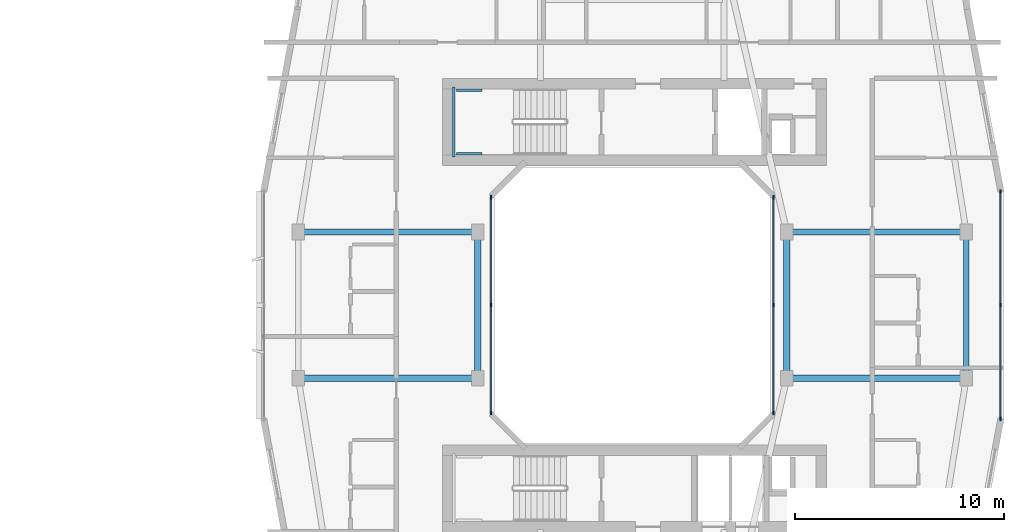
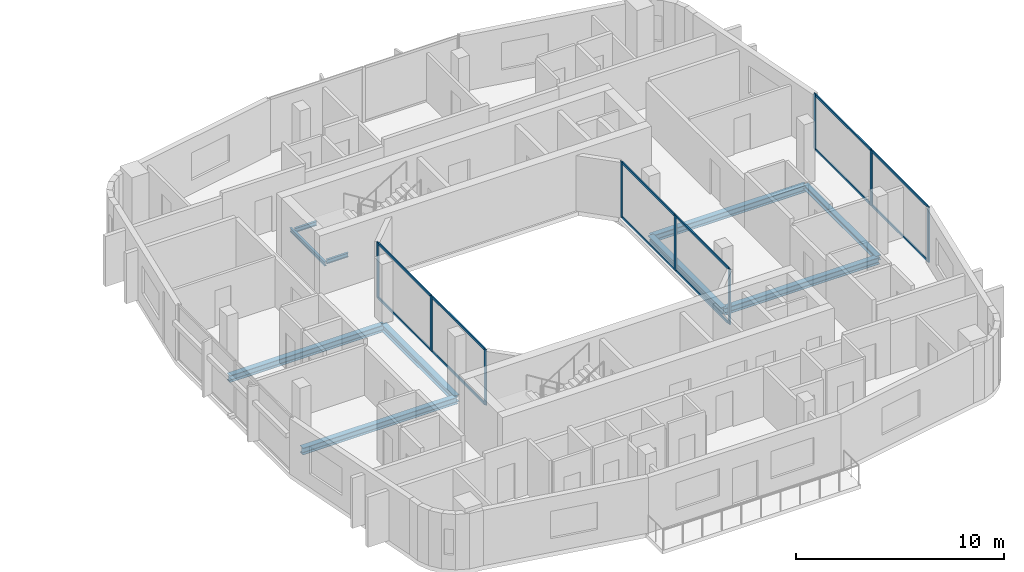
# One storey, part 6 of 24: 21 members, 10 beams, 3 elements without a shape of their own.
"""IFC4 building model written with IfcOpenShell, lengths in metres."""

from ifc_helpers import new_model, si_unit, derived_unit, direction, frame, origin, origin_2d, place, context, subcontext, project, spatial, rectangle, i_section, extrude, material, layer, layer_set, material_profile, profile_set, type_object, element, aggregate, save


model = new_model("IFC4")

# Units and contexts
model_context = context("Model", 3, precision=1e-05, world=origin(), true_north=direction((0.0, 1.0)))
body_context = subcontext(model_context, "Body", "Model", "MODEL_VIEW")
ifc_project = project(units=[si_unit("LENGTHUNIT", "METRE"), si_unit("AREAUNIT", "SQUARE_METRE"), si_unit("VOLUMEUNIT", "CUBIC_METRE"), si_unit("PLANEANGLEUNIT", "RADIAN"), si_unit("MASSUNIT", "GRAM", prefix="KILO"), derived_unit("THERMALTRANSMITTANCEUNIT", [(si_unit("POWERUNIT", "WATT"), 1), (si_unit("LENGTHUNIT", "METRE"), -2), (si_unit("THERMODYNAMICTEMPERATUREUNIT", "KELVIN"), -1)])], contexts=[model_context])

# Site, building, storey
site_placement = place(None, origin())
site = spatial("IfcSite", under=ifc_project, at=site_placement, CompositionType="ELEMENT")
building_placement = place(site_placement, origin())
building = spatial("IfcBuilding", under=site, at=building_placement, Name="Kivonza Crest Hotel", CompositionType="ELEMENT")
storey_placement = place(building_placement, frame((0.0, 0.0, 80.0)))
storey = spatial("IfcBuildingStorey", under=building, at=storey_placement, Name="L21", CompositionType="ELEMENT", Elevation=80.0)

# Beams
ifc_material_1 = material(Name="Steel S355", Category="steel")
ifc_material_profile_1 = material_profile(ifc_material_1, i_section(OverallWidth=0.280029296875, OverallDepth=0.280029296875, WebThickness=0.010498046875, FlangeThickness=0.01806640625, FilletRadius=0.02392578125, at=origin_2d()), Name="HEB 280")
ifc_profile_set_1 = profile_set([ifc_material_profile_1], Name="Steel S355")
beam_type_1 = type_object("IfcBeamType", Name="BM-HEB280", PredefinedType="SPANDREL", material=ifc_profile_set_1)
beam_1_placement = place(storey_placement, frame((93.0, 21.5, -0.389892578125), z_axis=(0.0, 1.0, 0.0), x_axis=(-1.0, 0.0, 0.0)))
element("IfcBeam", 1, at=beam_1_placement, inside=storey, type_object=beam_type_1, Name="Companion Tower T2 L21 perimeter spandrel E1-E2", PredefinedType="SPANDREL", context=body_context, shape_type="SweptSolid", body=[
    extrude(i_section(OverallWidth=0.280029296875, OverallDepth=0.280029296875, WebThickness=0.010498046875, FlangeThickness=0.01806640625, FilletRadius=0.02392578125, at=origin_2d()), origin(), (0.0, 0.0, 1.0), 7.0),
])
ifc_material_profile_2 = material_profile(ifc_material_1, i_section(OverallWidth=0.300048828125, OverallDepth=0.39990234375, WebThickness=0.013427734375, FlangeThickness=0.02392578125, FilletRadius=0.027099609375, at=origin_2d()), Name="HEB 400")
ifc_profile_set_2 = profile_set([ifc_material_profile_2], Name="Steel S355")
beam_type_2 = type_object("IfcBeamType", Name="BM-HEB400", PredefinedType="BEAM", material=ifc_profile_set_2)
for number, where, z_axis, x_axis, name in (
    (2, (61.0, 21.5, -0.449951171875), (1.0, 0.0, 0.0), (0.0, 1.0, 0.0), "Companion Tower T2 L21 girder W1-WL1"),
    (3, (61.0, 28.5, -0.449951171875), (1.0, 0.0, 0.0), (0.0, 1.0, 0.0), "Companion Tower T2 L21 girder W2-WL2"),
):
    element("IfcBeam", number, at=place(storey_placement, frame(where, z_axis=z_axis, x_axis=x_axis)), inside=storey, type_object=beam_type_2, Name=name, PredefinedType="BEAM", context=body_context, shape_type="SweptSolid", body=[
        extrude(i_section(OverallWidth=0.300048828125, OverallDepth=0.39990234375, WebThickness=0.013427734375, FlangeThickness=0.02392578125, FilletRadius=0.027099609375, at=origin_2d()), origin(), (0.0, 0.0, 1.0), 8.60009765625),
    ])
beam_2_placement = place(storey_placement, frame((69.60009765625, 21.5, -0.449951171875), z_axis=(0.0, 1.0, 0.0), x_axis=(-1.0, 0.0, 0.0)))
element("IfcBeam", 4, at=beam_2_placement, inside=storey, type_object=beam_type_2, Name="Companion Tower T2 L21 girder WL1-WL2", PredefinedType="BEAM", context=body_context, shape_type="SweptSolid", body=[
    extrude(i_section(OverallWidth=0.300048828125, OverallDepth=0.39990234375, WebThickness=0.013427734375, FlangeThickness=0.02392578125, FilletRadius=0.027099609375, at=origin_2d()), origin(), (0.0, 0.0, 1.0), 7.0),
])
for number, where, z_axis, x_axis, name in (
    (5, (84.39990234375, 21.5, -0.449951171875), (1.0, 0.0, 0.0), (0.0, 1.0, 0.0), "Companion Tower T2 L21 girder WR1-E1"),
    (6, (84.39990234375, 28.5, -0.449951171875), (1.0, 0.0, 0.0), (0.0, 1.0, 0.0), "Companion Tower T2 L21 girder WR2-E2"),
):
    element("IfcBeam", number, at=place(storey_placement, frame(where, z_axis=z_axis, x_axis=x_axis)), inside=storey, type_object=beam_type_2, Name=name, PredefinedType="BEAM", context=body_context, shape_type="SweptSolid", body=[
        extrude(i_section(OverallWidth=0.300048828125, OverallDepth=0.39990234375, WebThickness=0.013427734375, FlangeThickness=0.02392578125, FilletRadius=0.027099609375, at=origin_2d()), origin(), (0.0, 0.0, 1.0), 8.60009765625),
    ])
beam_3_placement = place(storey_placement, frame((84.39990234375, 21.5, -0.449951171875), z_axis=(0.0, 1.0, 0.0), x_axis=(-1.0, 0.0, 0.0)))
element("IfcBeam", 7, at=beam_3_placement, inside=storey, type_object=beam_type_2, Name="Companion Tower T2 L21 girder WR1-WR2", PredefinedType="BEAM", context=body_context, shape_type="SweptSolid", body=[
    extrude(i_section(OverallWidth=0.300048828125, OverallDepth=0.39990234375, WebThickness=0.013427734375, FlangeThickness=0.02392578125, FilletRadius=0.027099609375, at=origin_2d()), origin(), (0.0, 0.0, 1.0), 7.0),
])
ifc_material_profile_3 = material_profile(ifc_material_1, i_section(OverallWidth=0.1201171875, OverallDepth=0.239990234375, WebThickness=0.006103515625, FlangeThickness=0.009765625, FilletRadius=0.014892578125, at=origin_2d()), Name="IPE 240")
ifc_profile_set_3 = profile_set([ifc_material_profile_3], Name="Steel S355")
beam_type_3 = type_object("IfcBeamType", Name="BM-LLDG-240", PredefinedType="BEAM", material=ifc_profile_set_3)
beam_4_placement = place(storey_placement, frame((68.4599609375, 32.10009765625, 1.429931640625), z_axis=(0.0, 1.0, 0.0), x_axis=(-1.0, 0.0, 0.0)))
element("IfcBeam", 8, at=beam_4_placement, inside=storey, type_object=beam_type_3, Name="Stair ST-T2-N L21 West landing corbel", PredefinedType="BEAM", context=body_context, shape_type="SweptSolid", body=[
    extrude(i_section(OverallWidth=0.1201171875, OverallDepth=0.239990234375, WebThickness=0.006103515625, FlangeThickness=0.009765625, FilletRadius=0.014892578125, at=origin_2d()), origin(), (0.0, 0.0, 1.0), 3.35986328125),
])
for number, where, z_axis, x_axis, name in (
    (9, (68.590087890625, 32.260009765625, 1.429931640625), (1.0, 0.0, 0.0), (0.0, 1.0, 0.0), "Stair ST-T2-N L21 South landing corbel"),
    (10, (68.590087890625, 35.300048828125, 1.429931640625), (1.0, 0.0, 0.0), (0.0, 1.0, 0.0), "Stair ST-T2-N L21 North landing corbel"),
):
    element("IfcBeam", number, at=place(storey_placement, frame(where, z_axis=z_axis, x_axis=x_axis)), inside=storey, type_object=beam_type_3, Name=name, PredefinedType="BEAM", context=body_context, shape_type="SweptSolid", body=[
        extrude(i_section(OverallWidth=0.1201171875, OverallDepth=0.239990234375, WebThickness=0.006103515625, FlangeThickness=0.009765625, FilletRadius=0.014892578125, at=origin_2d()), origin(), (0.0, 0.0, 1.0), 1.2099609375),
    ])

# Curtain wall, members
ifc_material_2 = material(Name="Anodised bronze aluminium and low-E double glazing", Category="aluminium")
ifc_layer_1 = layer(ifc_material_2, 0.179931640625)
ifc_layer_set_1 = layer_set([ifc_layer_1], Name="Anodised bronze aluminium and low-E double glazing")
curtain_wall_type_1 = type_object("IfcCurtainWallType", Name="CW-SYS-4", PredefinedType="NOTDEFINED", material=ifc_layer_set_1)
curtain_wall_1_placement = place(storey_placement, origin())
curtain_wall_1 = element("IfcCurtainWall", 11, at=curtain_wall_1_placement, inside=storey, type_object=curtain_wall_type_1, Name="L21 unitised curtain wall CW-T2-L21-17", PredefinedType="NOTDEFINED")
ifc_material_3 = material(Name="Anodised bronze aluminium", Category="aluminium")
ifc_material_profile_4 = material_profile(ifc_material_3, rectangle(XDim=0.06494140625, YDim=0.179931640625, at=origin_2d()), Name="CW-M 65x180")
ifc_profile_set_4 = profile_set([ifc_material_profile_4], Name="Anodised bronze aluminium")
member_type_1 = type_object("IfcMemberType", Name="CW-MUL-65x180", PredefinedType="MULLION", material=ifc_profile_set_4)
member_1_placement = place(storey_placement, frame((94.639892578125, 19.552490234375, 0.0), z_axis=(0.0, 0.0, 1.0), x_axis=(-1.0, 0.0, 0.0)))
member_1 = element("IfcMember", 12, at=member_1_placement, type_object=member_type_1, Name="CW-4 mullion 1", PredefinedType="MULLION", context=body_context, shape_type="SweptSolid", body=[
    extrude(rectangle(XDim=0.06494140625, YDim=0.179931640625, at=origin_2d()), origin(), (0.0, 0.0, 1.0), 3.25),
])
member_2_placement = place(storey_placement, frame((94.639892578125, 25.0, 0.0), z_axis=(0.0, 0.0, 1.0), x_axis=(-1.0, 0.0, 0.0)))
member_2 = element("IfcMember", 13, at=member_2_placement, type_object=member_type_1, Name="CW-4 mullion 2", PredefinedType="MULLION", context=body_context, shape_type="SweptSolid", body=[
    extrude(rectangle(XDim=0.06494140625, YDim=0.179931640625, at=origin_2d()), origin(), (0.0, 0.0, 1.0), 3.25),
])
member_3_placement = place(storey_placement, frame((94.639892578125, 30.447509765625, 0.0), z_axis=(0.0, 0.0, 1.0), x_axis=(-1.0, 0.0, 0.0)))
member_3 = element("IfcMember", 14, at=member_3_placement, type_object=member_type_1, Name="CW-4 mullion 3", PredefinedType="MULLION", context=body_context, shape_type="SweptSolid", body=[
    extrude(rectangle(XDim=0.06494140625, YDim=0.179931640625, at=origin_2d()), origin(), (0.0, 0.0, 1.0), 3.25),
])

ifc_layer_2 = layer(ifc_material_2, 0.159912109375)
ifc_layer_set_2 = layer_set([ifc_layer_2], Name="Anodised bronze aluminium and low-E double glazing")
curtain_wall_type_2 = type_object("IfcCurtainWallType", Name="CW-SYS-5", PredefinedType="NOTDEFINED", material=ifc_layer_set_2)
curtain_wall_2_placement = place(storey_placement, origin())
curtain_wall_2 = element("IfcCurtainWall", 15, at=curtain_wall_2_placement, inside=storey, type_object=curtain_wall_type_2, Name="L21 unitised curtain wall CW-WELL-T2-L21-3", PredefinedType="NOTDEFINED")
member_4_placement = place(storey_placement, frame((83.760009765625, 19.83251953125, 0.0), z_axis=(0.0, 0.0, 1.0), x_axis=(-1.0, 0.0, 0.0)))
member_4 = element("IfcMember", 16, at=member_4_placement, type_object=member_type_1, Name="CW-5 mullion 1", PredefinedType="MULLION", context=body_context, shape_type="SweptSolid", body=[
    extrude(rectangle(XDim=0.06494140625, YDim=0.179931640625, at=origin_2d()), origin(), (0.0, 0.0, 1.0), 3.25),
])
member_5_placement = place(storey_placement, frame((83.760009765625, 25.0, 0.0), z_axis=(0.0, 0.0, 1.0), x_axis=(-1.0, 0.0, 0.0)))
member_5 = element("IfcMember", 17, at=member_5_placement, type_object=member_type_1, Name="CW-5 mullion 2", PredefinedType="MULLION", context=body_context, shape_type="SweptSolid", body=[
    extrude(rectangle(XDim=0.06494140625, YDim=0.179931640625, at=origin_2d()), origin(), (0.0, 0.0, 1.0), 3.25),
])
member_6_placement = place(storey_placement, frame((83.760009765625, 30.16748046875, 0.0), z_axis=(0.0, 0.0, 1.0), x_axis=(-1.0, 0.0, 0.0)))
member_6 = element("IfcMember", 18, at=member_6_placement, type_object=member_type_1, Name="CW-5 mullion 3", PredefinedType="MULLION", context=body_context, shape_type="SweptSolid", body=[
    extrude(rectangle(XDim=0.06494140625, YDim=0.179931640625, at=origin_2d()), origin(), (0.0, 0.0, 1.0), 3.25),
])

curtain_wall_3_placement = place(storey_placement, origin())
curtain_wall_3 = element("IfcCurtainWall", 19, at=curtain_wall_3_placement, inside=storey, type_object=curtain_wall_type_2, Name="L21 unitised curtain wall CW-WELL-T2-L21-7", PredefinedType="NOTDEFINED")
member_7_placement = place(storey_placement, frame((70.239990234375, 30.16748046875, 0.0), z_axis=(0.0, 0.0, 1.0), x_axis=(1.0, 0.0, 0.0)))
member_7 = element("IfcMember", 20, at=member_7_placement, type_object=member_type_1, Name="CW-5 mullion 1", PredefinedType="MULLION", context=body_context, shape_type="SweptSolid", body=[
    extrude(rectangle(XDim=0.06494140625, YDim=0.179931640625, at=origin_2d()), origin(), (0.0, 0.0, 1.0), 3.25),
])
member_8_placement = place(storey_placement, frame((70.239990234375, 25.0, 0.0), z_axis=(0.0, 0.0, 1.0), x_axis=(1.0, 0.0, 0.0)))
member_8 = element("IfcMember", 21, at=member_8_placement, type_object=member_type_1, Name="CW-5 mullion 2", PredefinedType="MULLION", context=body_context, shape_type="SweptSolid", body=[
    extrude(rectangle(XDim=0.06494140625, YDim=0.179931640625, at=origin_2d()), origin(), (0.0, 0.0, 1.0), 3.25),
])
member_9_placement = place(storey_placement, frame((70.239990234375, 19.83251953125, 0.0), z_axis=(0.0, 0.0, 1.0), x_axis=(1.0, 0.0, 0.0)))
member_9 = element("IfcMember", 22, at=member_9_placement, type_object=member_type_1, Name="CW-5 mullion 3", PredefinedType="MULLION", context=body_context, shape_type="SweptSolid", body=[
    extrude(rectangle(XDim=0.06494140625, YDim=0.179931640625, at=origin_2d()), origin(), (0.0, 0.0, 1.0), 3.25),
])

# Member
ifc_material_profile_5 = material_profile(ifc_material_3, rectangle(XDim=0.06494140625, YDim=0.139892578125, at=origin_2d()), Name="CW-T 65x140")
ifc_profile_set_5 = profile_set([ifc_material_profile_5], Name="Anodised bronze aluminium")
member_type_2 = type_object("IfcMemberType", Name="CW-TRN-65x140", PredefinedType="USERDEFINED", material=ifc_profile_set_5)
member_10_placement = place(storey_placement, frame((94.639892578125, 19.5849609375, 0.032470703125), z_axis=(0.0, 1.0, 0.0), x_axis=(-1.0, 0.0, 0.0)))
member_10 = element("IfcMember", 23, at=member_10_placement, type_object=member_type_2, Name="CW-4 transom 1.1", ObjectType="TRANSOM", PredefinedType="USERDEFINED", context=body_context, shape_type="SweptSolid", body=[
    extrude(rectangle(XDim=0.06494140625, YDim=0.139892578125, at=origin_2d()), origin(), (0.0, 0.0, 1.0), 5.382568359375),
])

member_11_placement = place(storey_placement, frame((94.639892578125, 19.5849609375, 3.217529296875), z_axis=(0.0, 1.0, 0.0), x_axis=(-1.0, 0.0, 0.0)))
member_11 = element("IfcMember", 24, at=member_11_placement, type_object=member_type_2, Name="CW-4 transom 1.2", ObjectType="TRANSOM", PredefinedType="USERDEFINED", context=body_context, shape_type="SweptSolid", body=[
    extrude(rectangle(XDim=0.06494140625, YDim=0.139892578125, at=origin_2d()), origin(), (0.0, 0.0, 1.0), 5.382568359375),
])

member_12_placement = place(storey_placement, frame((94.639892578125, 25.032470703125, 0.032470703125), z_axis=(0.0, 1.0, 0.0), x_axis=(-1.0, 0.0, 0.0)))
member_12 = element("IfcMember", 25, at=member_12_placement, type_object=member_type_2, Name="CW-4 transom 2.1", ObjectType="TRANSOM", PredefinedType="USERDEFINED", context=body_context, shape_type="SweptSolid", body=[
    extrude(rectangle(XDim=0.06494140625, YDim=0.139892578125, at=origin_2d()), origin(), (0.0, 0.0, 1.0), 5.382568359375),
])

member_13_placement = place(storey_placement, frame((94.639892578125, 25.032470703125, 3.217529296875), z_axis=(0.0, 1.0, 0.0), x_axis=(-1.0, 0.0, 0.0)))
member_13 = element("IfcMember", 26, at=member_13_placement, type_object=member_type_2, Name="CW-4 transom 2.2", ObjectType="TRANSOM", PredefinedType="USERDEFINED", context=body_context, shape_type="SweptSolid", body=[
    extrude(rectangle(XDim=0.06494140625, YDim=0.139892578125, at=origin_2d()), origin(), (0.0, 0.0, 1.0), 5.382568359375),
])

aggregate(curtain_wall_1, [member_1, member_2, member_3, member_10, member_11, member_12, member_13])

member_14_placement = place(storey_placement, frame((83.760009765625, 19.864990234375, 0.032470703125), z_axis=(0.0, 1.0, 0.0), x_axis=(-1.0, 0.0, 0.0)))
member_14 = element("IfcMember", 27, at=member_14_placement, type_object=member_type_2, Name="CW-5 transom 1.1", ObjectType="TRANSOM", PredefinedType="USERDEFINED", context=body_context, shape_type="SweptSolid", body=[
    extrude(rectangle(XDim=0.06494140625, YDim=0.139892578125, at=origin_2d()), origin(), (0.0, 0.0, 1.0), 5.1025390625),
])

member_15_placement = place(storey_placement, frame((83.760009765625, 19.864990234375, 3.217529296875), z_axis=(0.0, 1.0, 0.0), x_axis=(-1.0, 0.0, 0.0)))
member_15 = element("IfcMember", 28, at=member_15_placement, type_object=member_type_2, Name="CW-5 transom 1.2", ObjectType="TRANSOM", PredefinedType="USERDEFINED", context=body_context, shape_type="SweptSolid", body=[
    extrude(rectangle(XDim=0.06494140625, YDim=0.139892578125, at=origin_2d()), origin(), (0.0, 0.0, 1.0), 5.1025390625),
])

member_16_placement = place(storey_placement, frame((83.760009765625, 25.032470703125, 0.032470703125), z_axis=(0.0, 1.0, 0.0), x_axis=(-1.0, 0.0, 0.0)))
member_16 = element("IfcMember", 29, at=member_16_placement, type_object=member_type_2, Name="CW-5 transom 2.1", ObjectType="TRANSOM", PredefinedType="USERDEFINED", context=body_context, shape_type="SweptSolid", body=[
    extrude(rectangle(XDim=0.06494140625, YDim=0.139892578125, at=origin_2d()), origin(), (0.0, 0.0, 1.0), 5.1025390625),
])

member_17_placement = place(storey_placement, frame((83.760009765625, 25.032470703125, 3.217529296875), z_axis=(0.0, 1.0, 0.0), x_axis=(-1.0, 0.0, 0.0)))
member_17 = element("IfcMember", 30, at=member_17_placement, type_object=member_type_2, Name="CW-5 transom 2.2", ObjectType="TRANSOM", PredefinedType="USERDEFINED", context=body_context, shape_type="SweptSolid", body=[
    extrude(rectangle(XDim=0.06494140625, YDim=0.139892578125, at=origin_2d()), origin(), (0.0, 0.0, 1.0), 5.1025390625),
])

aggregate(curtain_wall_2, [member_4, member_5, member_6, member_14, member_15, member_16, member_17])

member_18_placement = place(storey_placement, frame((70.239990234375, 30.135009765625, 0.032470703125), z_axis=(0.0, -1.0, 0.0), x_axis=(1.0, 0.0, 0.0)))
member_18 = element("IfcMember", 31, at=member_18_placement, type_object=member_type_2, Name="CW-5 transom 1.1", ObjectType="TRANSOM", PredefinedType="USERDEFINED", context=body_context, shape_type="SweptSolid", body=[
    extrude(rectangle(XDim=0.06494140625, YDim=0.139892578125, at=origin_2d()), origin(), (0.0, 0.0, 1.0), 5.1025390625),
])

member_19_placement = place(storey_placement, frame((70.239990234375, 30.135009765625, 3.217529296875), z_axis=(0.0, -1.0, 0.0), x_axis=(1.0, 0.0, 0.0)))
member_19 = element("IfcMember", 32, at=member_19_placement, type_object=member_type_2, Name="CW-5 transom 1.2", ObjectType="TRANSOM", PredefinedType="USERDEFINED", context=body_context, shape_type="SweptSolid", body=[
    extrude(rectangle(XDim=0.06494140625, YDim=0.139892578125, at=origin_2d()), origin(), (0.0, 0.0, 1.0), 5.1025390625),
])

member_20_placement = place(storey_placement, frame((70.239990234375, 24.967529296875, 0.032470703125), z_axis=(0.0, -1.0, 0.0), x_axis=(1.0, 0.0, 0.0)))
member_20 = element("IfcMember", 33, at=member_20_placement, type_object=member_type_2, Name="CW-5 transom 2.1", ObjectType="TRANSOM", PredefinedType="USERDEFINED", context=body_context, shape_type="SweptSolid", body=[
    extrude(rectangle(XDim=0.06494140625, YDim=0.139892578125, at=origin_2d()), origin(), (0.0, 0.0, 1.0), 5.1025390625),
])

member_21_placement = place(storey_placement, frame((70.239990234375, 24.967529296875, 3.217529296875), z_axis=(0.0, -1.0, 0.0), x_axis=(1.0, 0.0, 0.0)))
member_21 = element("IfcMember", 34, at=member_21_placement, type_object=member_type_2, Name="CW-5 transom 2.2", ObjectType="TRANSOM", PredefinedType="USERDEFINED", context=body_context, shape_type="SweptSolid", body=[
    extrude(rectangle(XDim=0.06494140625, YDim=0.139892578125, at=origin_2d()), origin(), (0.0, 0.0, 1.0), 5.1025390625),
])

aggregate(curtain_wall_3, [member_7, member_8, member_9, member_18, member_19, member_20, member_21])

save(model, "model.ifc")
